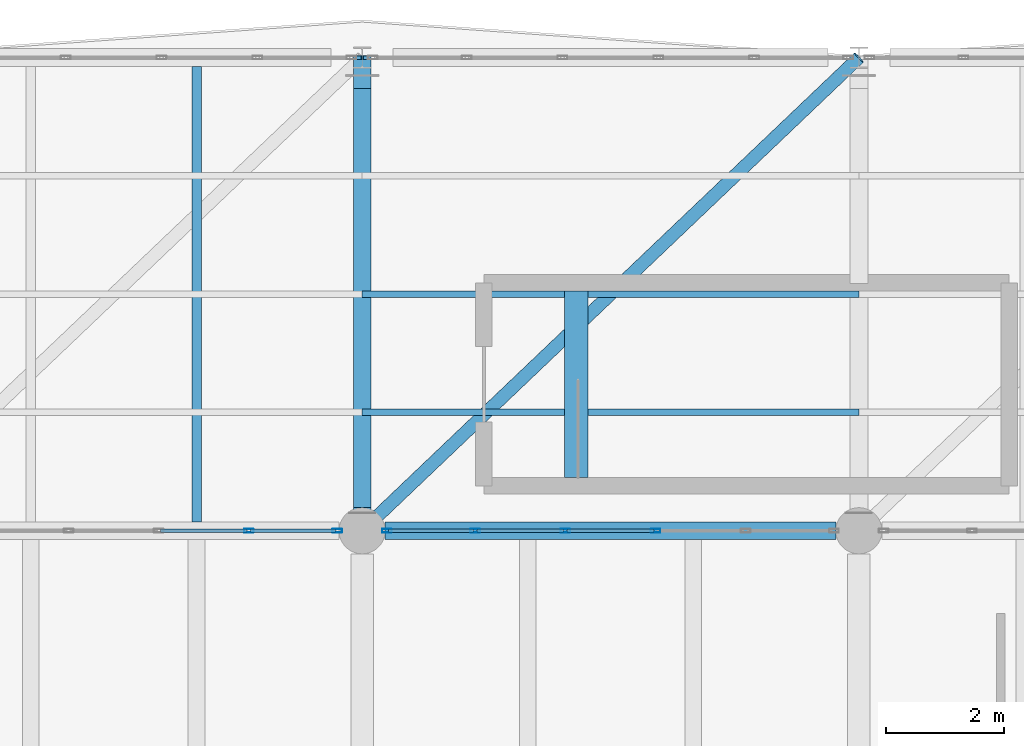
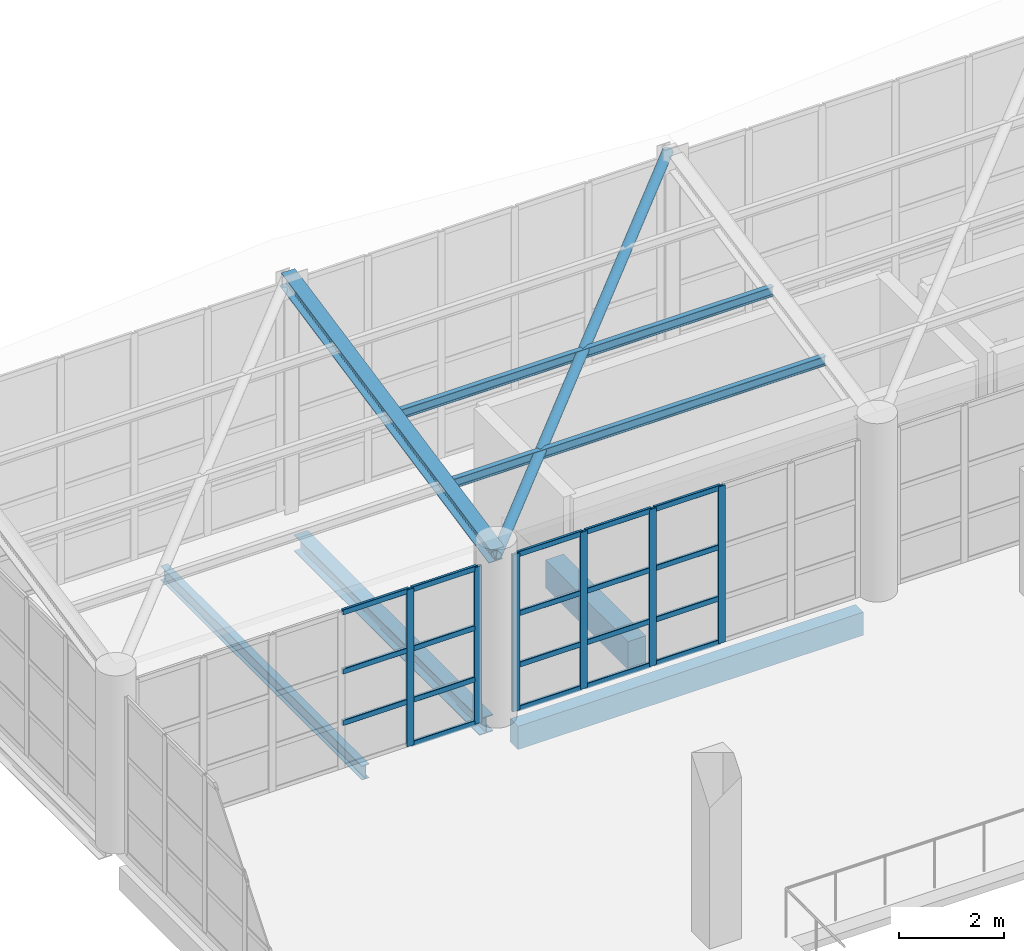
# One storey, part 82 of 177: 29 members, 4 beams, 2 elements without a shape of their own.
"""IFC4 building model written with IfcOpenShell, lengths in metres."""

from ifc_helpers import new_model, si_unit, direction, frame, origin, origin_2d, place, context, subcontext, project, spatial, rectangle, hollow_rectangle, hollow_circle, i_section, extrude, material, layer, layer_set, material_profile, profile_set, type_object, element, aggregate, save


model = new_model("IFC4")

# Units and contexts
model_context = context("Model", 3, precision=1e-05, world=origin(), true_north=direction((0.0, 1.0)))
body_context = subcontext(model_context, "Body", "Model", "MODEL_VIEW")
ifc_project = project(units=[si_unit("LENGTHUNIT", "METRE"), si_unit("AREAUNIT", "SQUARE_METRE"), si_unit("VOLUMEUNIT", "CUBIC_METRE"), si_unit("PLANEANGLEUNIT", "RADIAN"), si_unit("MASSUNIT", "GRAM", prefix="KILO"), si_unit("THERMODYNAMICTEMPERATUREUNIT", "KELVIN"), si_unit("POWERUNIT", "WATT")], contexts=[model_context])

# Site, building, storey
site_placement = place(None, origin())
site = spatial("IfcSite", under=ifc_project, at=site_placement, CompositionType="ELEMENT")
building_placement = place(site_placement, origin())
building = spatial("IfcBuilding", under=site, at=building_placement, Name="Mavoryth Pier Ferry Terminal", CompositionType="ELEMENT")
storey_placement = place(building_placement, frame((0.0, 0.0, 5.43994140625)))
storey = spatial("IfcBuildingStorey", under=building, at=storey_placement, Name="L01", CompositionType="ELEMENT", Elevation=5.43994140625)

# Beam
ifc_material_1 = material(Name="Steel S355J2", Category="steel")
ifc_material_profile_1 = material_profile(ifc_material_1, i_section(OverallWidth=0.300048828125, OverallDepth=0.389892578125, WebThickness=0.010986328125, FlangeThickness=0.01904296875, FilletRadius=0.027099609375, at=origin_2d()), Name="HEA 400", Category="steel")
ifc_profile_set_1 = profile_set([ifc_material_profile_1], Name="Steel S355J2 - HEA 400")
beam_type_1 = type_object("IfcBeamType", Name="Beam-Steel-HEA400", PredefinedType="BEAM", material=ifc_profile_set_1)
beam_1_placement = place(storey_placement, frame((58.800048828125, 106.389892578125, -0.43505859375), z_axis=(0.0, 1.0, 0.0), x_axis=(-1.0, 0.0, 0.0)))
element("IfcBeam", 1, at=beam_1_placement, inside=storey, type_object=beam_type_1, Name="Beam B01-SB04-0279", PredefinedType="BEAM", context=body_context, shape_type="SweptSolid", body=[
    extrude(i_section(OverallWidth=0.300048828125, OverallDepth=0.389892578125, WebThickness=0.010986328125, FlangeThickness=0.01904296875, FilletRadius=0.027099609375, at=origin_2d()), origin(), (0.0, 0.0, 1.0), 7.085205078125),
])

# Member
ifc_material_profile_2 = material_profile(ifc_material_1, hollow_circle(Radius=0.109619140625, WallThickness=0.010009765625, at=origin_2d()), Name="CHS 219.1x10.0", Category="steel")
ifc_profile_set_2 = profile_set([ifc_material_profile_2], Name="Steel S355J2 - CHS 219.1x10.0")
member_type_1 = type_object("IfcMemberType", Name="Brace-Diag-CHS219", PredefinedType="BRACE", material=ifc_profile_set_2)
member_1_placement = place(storey_placement, frame((58.800048828125, 106.0, 3.771240234375), z_axis=(0.717108654399, 0.682968563255, 0.138957257423), x_axis=(-0.689659376744, 0.724133926887, 0.0)))
element("IfcMember", 2, at=member_1_placement, inside=storey, type_object=member_type_1, Name="Steel Member MB-L01-0257", PredefinedType="BRACE", context=body_context, shape_type="SweptSolid", body=[
    extrude(hollow_circle(Radius=0.109619140625, WallThickness=0.010009765625, at=origin_2d()), origin(), (0.0, 0.0, 1.0), 11.713623046875),
])

# Beams
ifc_material_2 = material(Name="Concrete C35/45", Category="concrete")
ifc_material_profile_3 = material_profile(ifc_material_2, rectangle(XDim=0.39990234375, YDim=0.64990234375, at=origin_2d()), Name="RC 400x650", Category="concrete")
ifc_profile_set_3 = profile_set([ifc_material_profile_3], Name="Concrete C35/45 - RC 400x650")
beam_type_2 = type_object("IfcBeamType", Name="Girder-RC-400x650", PredefinedType="BEAM", material=ifc_profile_set_3)
beam_2_placement = place(storey_placement, frame((62.419921875, 106.89990234375, -0.324951171875), z_axis=(0.0, 1.0, 0.0), x_axis=(-1.0, 0.0, 0.0)))
element("IfcBeam", 3, at=beam_2_placement, inside=storey, type_object=beam_type_2, Name="Beam B01-BG05-1574", PredefinedType="BEAM", context=body_context, shape_type="SweptSolid", body=[
    extrude(rectangle(XDim=0.39990234375, YDim=0.64990234375, at=origin_2d()), origin(), (0.0, 0.0, 1.0), 3.150146484375),
])
ifc_material_profile_4 = material_profile(ifc_material_1, i_section(OverallWidth=0.159912109375, OverallDepth=0.330078125, WebThickness=0.007568359375, FlangeThickness=0.011474609375, FilletRadius=0.01806640625, at=origin_2d()), Name="IPE 330", Category="steel")
ifc_profile_set_4 = profile_set([ifc_material_profile_4], Name="Steel S355J2 - IPE 330")
beam_type_3 = type_object("IfcBeamType", Name="Joist-Steel-IPE330", PredefinedType="JOIST", material=ifc_profile_set_4)
beam_3_placement = place(storey_placement, frame((56.0, 106.14990234375, -0.405029296875), z_axis=(0.0, 1.0, 0.0), x_axis=(-1.0, 0.0, 0.0)))
element("IfcBeam", 4, at=beam_3_placement, inside=storey, type_object=beam_type_3, Name="Beam B01-SJ03-0292", PredefinedType="JOIST", context=body_context, shape_type="SweptSolid", body=[
    extrude(i_section(OverallWidth=0.159912109375, OverallDepth=0.330078125, WebThickness=0.007568359375, FlangeThickness=0.011474609375, FilletRadius=0.01806640625, at=origin_2d()), origin(), (0.0, 0.0, 1.0), 7.7001953125),
])

# Curtain wall, members
ifc_material_3 = material(Name="Anodised Aluminium and Solar-Control Low-E Glass", Category="aluminium")
ifc_layer = layer(ifc_material_3, 0.159912109375, Name="Anodised Aluminium and Solar-Control Low-E Glass", Category="aluminium")
ifc_layer_set = layer_set([ifc_layer], Name="Anodised Aluminium and Solar-Control Low-E Glass - CW-Arrivals-Mod1400")
curtain_wall_type = type_object("IfcCurtainWallType", Name="CW-Arrivals-Mod1400", PredefinedType="USERDEFINED", material=ifc_layer_set)
curtain_wall_1_placement = place(storey_placement, origin())
curtain_wall_1 = element("IfcCurtainWall", 5, at=curtain_wall_1_placement, inside=storey, type_object=curtain_wall_type, Name="Curtain Wall CW-0122-050", ObjectType="UNITISED CURTAIN WALL", PredefinedType="USERDEFINED")
ifc_material_4 = material(Name="Anodised Aluminium EN AW-6063", Category="aluminium")
ifc_material_profile_5 = material_profile(ifc_material_4, hollow_rectangle(XDim=0.06005859375, YDim=0.1650390625, WallThickness=0.00390625, InnerFilletRadius=0.00390625, OuterFilletRadius=0.008056640625, at=origin_2d()), Name="AL-MULL 165x60x4", Category="aluminium")
ifc_profile_set_5 = profile_set([ifc_material_profile_5], Name="Anodised Aluminium EN AW-6063 - AL-MULL 165x60x4")
member_type_2 = type_object("IfcMemberType", Name="Mullion-Alum-165x60", PredefinedType="MULLION", material=ifc_profile_set_5)
member_2_placement = place(storey_placement, frame((58.3798828125, 106.0, 0.0), z_axis=(0.0, 0.0, 1.0), x_axis=(0.0, -1.0, 0.0)))
member_2 = element("IfcMember", 6, at=member_2_placement, type_object=member_type_2, Name="CW04 mullion 1", PredefinedType="MULLION", context=body_context, shape_type="SweptSolid", body=[
    extrude(hollow_rectangle(XDim=0.06005859375, YDim=0.1650390625, WallThickness=0.00390625, InnerFilletRadius=0.00390625, OuterFilletRadius=0.008056640625, at=origin_2d()), origin(), (0.0, 0.0, 1.0), 3.66015625),
])
member_3_placement = place(storey_placement, frame((56.885986328125, 106.0, 0.0), z_axis=(0.0, 0.0, 1.0), x_axis=(0.0, -1.0, 0.0)))
member_3 = element("IfcMember", 7, at=member_3_placement, type_object=member_type_2, Name="CW04 mullion 2", PredefinedType="MULLION", context=body_context, shape_type="SweptSolid", body=[
    extrude(hollow_rectangle(XDim=0.06005859375, YDim=0.1650390625, WallThickness=0.00390625, InnerFilletRadius=0.00390625, OuterFilletRadius=0.008056640625, at=origin_2d()), origin(), (0.0, 0.0, 1.0), 3.66015625),
])

curtain_wall_2_placement = place(storey_placement, origin())
curtain_wall_2 = element("IfcCurtainWall", 8, at=curtain_wall_2_placement, inside=storey, type_object=curtain_wall_type, Name="Curtain Wall CW-0122-052", ObjectType="UNITISED CURTAIN WALL", PredefinedType="USERDEFINED")
member_4_placement = place(storey_placement, frame((63.761962890625, 106.0, 0.0), z_axis=(0.0, 0.0, 1.0), x_axis=(0.0, -1.0, 0.0)))
member_4 = element("IfcMember", 9, at=member_4_placement, type_object=member_type_2, Name="CW04 mullion 3", PredefinedType="MULLION", context=body_context, shape_type="SweptSolid", body=[
    extrude(hollow_rectangle(XDim=0.06005859375, YDim=0.1650390625, WallThickness=0.00390625, InnerFilletRadius=0.00390625, OuterFilletRadius=0.008056640625, at=origin_2d()), origin(), (0.0, 0.0, 1.0), 3.66015625),
])
member_5_placement = place(storey_placement, frame((62.238037109375, 106.0, 0.0), z_axis=(0.0, 0.0, 1.0), x_axis=(0.0, -1.0, 0.0)))
member_5 = element("IfcMember", 10, at=member_5_placement, type_object=member_type_2, Name="CW04 mullion 4", PredefinedType="MULLION", context=body_context, shape_type="SweptSolid", body=[
    extrude(hollow_rectangle(XDim=0.06005859375, YDim=0.1650390625, WallThickness=0.00390625, InnerFilletRadius=0.00390625, OuterFilletRadius=0.008056640625, at=origin_2d()), origin(), (0.0, 0.0, 1.0), 3.66015625),
])
member_6_placement = place(storey_placement, frame((60.714111328125, 106.0, 0.0), z_axis=(0.0, 0.0, 1.0), x_axis=(0.0, -1.0, 0.0)))
member_6 = element("IfcMember", 11, at=member_6_placement, type_object=member_type_2, Name="CW04 mullion 5", PredefinedType="MULLION", context=body_context, shape_type="SweptSolid", body=[
    extrude(hollow_rectangle(XDim=0.06005859375, YDim=0.1650390625, WallThickness=0.00390625, InnerFilletRadius=0.00390625, OuterFilletRadius=0.008056640625, at=origin_2d()), origin(), (0.0, 0.0, 1.0), 3.66015625),
])
member_7_placement = place(storey_placement, frame((59.219970703125, 106.0, 0.0), z_axis=(0.0, 0.0, 1.0), x_axis=(0.0, -1.0, 0.0)))
member_7 = element("IfcMember", 12, at=member_7_placement, type_object=member_type_2, Name="CW04 mullion 6", PredefinedType="MULLION", context=body_context, shape_type="SweptSolid", body=[
    extrude(hollow_rectangle(XDim=0.06005859375, YDim=0.1650390625, WallThickness=0.00390625, InnerFilletRadius=0.00390625, OuterFilletRadius=0.008056640625, at=origin_2d()), origin(), (0.0, 0.0, 1.0), 3.66015625),
])

# Members
ifc_material_profile_6 = material_profile(ifc_material_1, i_section(OverallWidth=0.110107421875, OverallDepth=0.219970703125, WebThickness=0.005859375, FlangeThickness=0.00927734375, FilletRadius=0.011962890625, at=origin_2d()), Name="IPE 220", Category="steel")
ifc_profile_set_6 = profile_set([ifc_material_profile_6], Name="Steel S355J2 - IPE 220")
member_type_3 = type_object("IfcMemberType", Name="Purlin-Roof-IPE220", PredefinedType="PURLIN", material=ifc_profile_set_6)
for number, where, z_axis, x_axis, name in (
    (13, (58.800048828125, 108.0, 4.17822265625), (1.0, 0.0, 0.0), (0.0, 1.0, 0.0), "Steel Member MB-L01-0254"),
    (14, (58.800048828125, 110.0, 4.5849609375), (1.0, 0.0, 0.0), (0.0, 1.0, 0.0), "Steel Member MB-L01-0255"),
):
    element("IfcMember", number, at=place(storey_placement, frame(where, z_axis=z_axis, x_axis=x_axis)), inside=storey, type_object=member_type_3, Name=name, PredefinedType="PURLIN", context=body_context, shape_type="SweptSolid", body=[
        extrude(i_section(OverallWidth=0.110107421875, OverallDepth=0.219970703125, WebThickness=0.005859375, FlangeThickness=0.00927734375, FilletRadius=0.011962890625, at=origin_2d()), origin(), (0.0, 0.0, 1.0), 8.39990234375),
    ])
ifc_material_profile_7 = material_profile(ifc_material_1, i_section(OverallWidth=0.300048828125, OverallDepth=0.35009765625, WebThickness=0.010009765625, FlangeThickness=0.017578125, FilletRadius=0.027099609375, at=origin_2d()), Name="HEA 360", Category="steel")
ifc_profile_set_7 = profile_set([ifc_material_profile_7], Name="Steel S355J2 - HEA 360")
member_type_4 = type_object("IfcMemberType", Name="Rafter-Gallery-HEA360", PredefinedType="RAFTER", material=ifc_profile_set_7)
member_8_placement = place(storey_placement, frame((58.800048828125, 106.0, 3.771240234375), z_axis=(0.0, 0.979923097627, 0.199375832882), x_axis=(-1.0, 0.0, 0.0)))
element("IfcMember", 15, at=member_8_placement, inside=storey, type_object=member_type_4, Name="Steel Member MB-L01-0238", PredefinedType="RAFTER", context=body_context, shape_type="SweptSolid", body=[
    extrude(i_section(OverallWidth=0.300048828125, OverallDepth=0.35009765625, WebThickness=0.010009765625, FlangeThickness=0.017578125, FilletRadius=0.027099609375, at=origin_2d()), origin(), (0.0, 0.0, 1.0), 8.163818359375),
])

# Beam
ifc_material_profile_8 = material_profile(ifc_material_2, rectangle(XDim=0.300048828125, YDim=0.5400390625, at=origin_2d()), Name="RC 300x540", Category="concrete")
ifc_profile_set_8 = profile_set([ifc_material_profile_8], Name="Concrete C35/45 - RC 300x540")
beam_type_4 = type_object("IfcBeamType", Name="Spandrel-RC-300x540", PredefinedType="SPANDREL", material=ifc_profile_set_8)
beam_4_placement = place(storey_placement, frame((59.18994140625, 106.0, -0.550048828125), z_axis=(1.0, 0.0, 0.0), x_axis=(0.0, 1.0, 0.0)))
element("IfcBeam", 16, at=beam_4_placement, inside=storey, type_object=beam_type_4, Name="Beam B01-SP02-0200", PredefinedType="SPANDREL", context=body_context, shape_type="SweptSolid", body=[
    extrude(rectangle(XDim=0.300048828125, YDim=0.5400390625, at=origin_2d()), origin(), (0.0, 0.0, 1.0), 7.6201171875),
])

# Member
ifc_material_profile_9 = material_profile(ifc_material_4, hollow_rectangle(XDim=0.06005859375, YDim=0.125, WallThickness=0.00390625, InnerFilletRadius=0.00390625, OuterFilletRadius=0.008056640625, at=origin_2d()), Name="AL-TRAN 125x60x4", Category="aluminium")
ifc_profile_set_9 = profile_set([ifc_material_profile_9], Name="Anodised Aluminium EN AW-6063 - AL-TRAN 125x60x4")
member_type_5 = type_object("IfcMemberType", Name="Transom-Alum-125x60", PredefinedType="USERDEFINED", material=ifc_profile_set_9)
member_9_placement = place(storey_placement, frame((58.35009765625, 106.0, 0.030029296875), z_axis=(-1.0, 0.0, 0.0), x_axis=(0.0, -1.0, 0.0)))
member_9 = element("IfcMember", 17, at=member_9_placement, type_object=member_type_5, Name="CW04 transom 1.1", ObjectType="TRANSOM", PredefinedType="USERDEFINED", context=body_context, shape_type="SweptSolid", body=[
    extrude(hollow_rectangle(XDim=0.06005859375, YDim=0.125, WallThickness=0.00390625, InnerFilletRadius=0.00390625, OuterFilletRadius=0.008056640625, at=origin_2d()), origin(), (0.0, 0.0, 1.0), 1.43408203125),
])

member_10_placement = place(storey_placement, frame((58.35009765625, 106.0, 1.050048828125), z_axis=(-1.0, 0.0, 0.0), x_axis=(0.0, -1.0, 0.0)))
member_10 = element("IfcMember", 18, at=member_10_placement, type_object=member_type_5, Name="CW04 transom 1.2", ObjectType="TRANSOM", PredefinedType="USERDEFINED", context=body_context, shape_type="SweptSolid", body=[
    extrude(hollow_rectangle(XDim=0.06005859375, YDim=0.125, WallThickness=0.00390625, InnerFilletRadius=0.00390625, OuterFilletRadius=0.008056640625, at=origin_2d()), origin(), (0.0, 0.0, 1.0), 1.43408203125),
])

member_11_placement = place(storey_placement, frame((58.35009765625, 106.0, 2.25), z_axis=(-1.0, 0.0, 0.0), x_axis=(0.0, -1.0, 0.0)))
member_11 = element("IfcMember", 19, at=member_11_placement, type_object=member_type_5, Name="CW04 transom 1.3", ObjectType="TRANSOM", PredefinedType="USERDEFINED", context=body_context, shape_type="SweptSolid", body=[
    extrude(hollow_rectangle(XDim=0.06005859375, YDim=0.125, WallThickness=0.00390625, InnerFilletRadius=0.00390625, OuterFilletRadius=0.008056640625, at=origin_2d()), origin(), (0.0, 0.0, 1.0), 1.43408203125),
])

member_12_placement = place(storey_placement, frame((58.35009765625, 106.0, 3.630126953125), z_axis=(-1.0, 0.0, 0.0), x_axis=(0.0, -1.0, 0.0)))
member_12 = element("IfcMember", 20, at=member_12_placement, type_object=member_type_5, Name="CW04 transom 1.4", ObjectType="TRANSOM", PredefinedType="USERDEFINED", context=body_context, shape_type="SweptSolid", body=[
    extrude(hollow_rectangle(XDim=0.06005859375, YDim=0.125, WallThickness=0.00390625, InnerFilletRadius=0.00390625, OuterFilletRadius=0.008056640625, at=origin_2d()), origin(), (0.0, 0.0, 1.0), 1.43408203125),
])

member_13_placement = place(storey_placement, frame((56.85595703125, 106.0, 1.050048828125), z_axis=(-1.0, 0.0, 0.0), x_axis=(0.0, -1.0, 0.0)))
member_13 = element("IfcMember", 21, at=member_13_placement, type_object=member_type_5, Name="CW04 transom 2.2", ObjectType="TRANSOM", PredefinedType="USERDEFINED", context=body_context, shape_type="SweptSolid", body=[
    extrude(hollow_rectangle(XDim=0.06005859375, YDim=0.125, WallThickness=0.00390625, InnerFilletRadius=0.00390625, OuterFilletRadius=0.008056640625, at=origin_2d()), origin(), (0.0, 0.0, 1.0), 1.4638671875),
])

member_14_placement = place(storey_placement, frame((56.85595703125, 106.0, 2.25), z_axis=(-1.0, 0.0, 0.0), x_axis=(0.0, -1.0, 0.0)))
member_14 = element("IfcMember", 22, at=member_14_placement, type_object=member_type_5, Name="CW04 transom 2.3", ObjectType="TRANSOM", PredefinedType="USERDEFINED", context=body_context, shape_type="SweptSolid", body=[
    extrude(hollow_rectangle(XDim=0.06005859375, YDim=0.125, WallThickness=0.00390625, InnerFilletRadius=0.00390625, OuterFilletRadius=0.008056640625, at=origin_2d()), origin(), (0.0, 0.0, 1.0), 1.4638671875),
])

member_15_placement = place(storey_placement, frame((56.85595703125, 106.0, 3.630126953125), z_axis=(-1.0, 0.0, 0.0), x_axis=(0.0, -1.0, 0.0)))
member_15 = element("IfcMember", 23, at=member_15_placement, type_object=member_type_5, Name="CW04 transom 2.4", ObjectType="TRANSOM", PredefinedType="USERDEFINED", context=body_context, shape_type="SweptSolid", body=[
    extrude(hollow_rectangle(XDim=0.06005859375, YDim=0.125, WallThickness=0.00390625, InnerFilletRadius=0.00390625, OuterFilletRadius=0.008056640625, at=origin_2d()), origin(), (0.0, 0.0, 1.0), 1.4638671875),
])

aggregate(curtain_wall_1, [member_2, member_3, member_9, member_10, member_11, member_12, member_13, member_14, member_15])

member_16_placement = place(storey_placement, frame((63.73193359375, 106.0, 0.030029296875), z_axis=(-1.0, 0.0, 0.0), x_axis=(0.0, -1.0, 0.0)))
member_16 = element("IfcMember", 24, at=member_16_placement, type_object=member_type_5, Name="CW04 transom 3.1", ObjectType="TRANSOM", PredefinedType="USERDEFINED", context=body_context, shape_type="SweptSolid", body=[
    extrude(hollow_rectangle(XDim=0.06005859375, YDim=0.125, WallThickness=0.00390625, InnerFilletRadius=0.00390625, OuterFilletRadius=0.008056640625, at=origin_2d()), origin(), (0.0, 0.0, 1.0), 1.4638671875),
])

member_17_placement = place(storey_placement, frame((63.73193359375, 106.0, 1.050048828125), z_axis=(-1.0, 0.0, 0.0), x_axis=(0.0, -1.0, 0.0)))
member_17 = element("IfcMember", 25, at=member_17_placement, type_object=member_type_5, Name="CW04 transom 3.2", ObjectType="TRANSOM", PredefinedType="USERDEFINED", context=body_context, shape_type="SweptSolid", body=[
    extrude(hollow_rectangle(XDim=0.06005859375, YDim=0.125, WallThickness=0.00390625, InnerFilletRadius=0.00390625, OuterFilletRadius=0.008056640625, at=origin_2d()), origin(), (0.0, 0.0, 1.0), 1.4638671875),
])

member_18_placement = place(storey_placement, frame((63.73193359375, 106.0, 2.25), z_axis=(-1.0, 0.0, 0.0), x_axis=(0.0, -1.0, 0.0)))
member_18 = element("IfcMember", 26, at=member_18_placement, type_object=member_type_5, Name="CW04 transom 3.3", ObjectType="TRANSOM", PredefinedType="USERDEFINED", context=body_context, shape_type="SweptSolid", body=[
    extrude(hollow_rectangle(XDim=0.06005859375, YDim=0.125, WallThickness=0.00390625, InnerFilletRadius=0.00390625, OuterFilletRadius=0.008056640625, at=origin_2d()), origin(), (0.0, 0.0, 1.0), 1.4638671875),
])

member_19_placement = place(storey_placement, frame((63.73193359375, 106.0, 3.630126953125), z_axis=(-1.0, 0.0, 0.0), x_axis=(0.0, -1.0, 0.0)))
member_19 = element("IfcMember", 27, at=member_19_placement, type_object=member_type_5, Name="CW04 transom 3.4", ObjectType="TRANSOM", PredefinedType="USERDEFINED", context=body_context, shape_type="SweptSolid", body=[
    extrude(hollow_rectangle(XDim=0.06005859375, YDim=0.125, WallThickness=0.00390625, InnerFilletRadius=0.00390625, OuterFilletRadius=0.008056640625, at=origin_2d()), origin(), (0.0, 0.0, 1.0), 1.4638671875),
])

member_20_placement = place(storey_placement, frame((62.2080078125, 106.0, 0.030029296875), z_axis=(-1.0, 0.0, 0.0), x_axis=(0.0, -1.0, 0.0)))
member_20 = element("IfcMember", 28, at=member_20_placement, type_object=member_type_5, Name="CW04 transom 4.1", ObjectType="TRANSOM", PredefinedType="USERDEFINED", context=body_context, shape_type="SweptSolid", body=[
    extrude(hollow_rectangle(XDim=0.06005859375, YDim=0.125, WallThickness=0.00390625, InnerFilletRadius=0.00390625, OuterFilletRadius=0.008056640625, at=origin_2d()), origin(), (0.0, 0.0, 1.0), 1.464111328125),
])

member_21_placement = place(storey_placement, frame((62.2080078125, 106.0, 1.050048828125), z_axis=(-1.0, 0.0, 0.0), x_axis=(0.0, -1.0, 0.0)))
member_21 = element("IfcMember", 29, at=member_21_placement, type_object=member_type_5, Name="CW04 transom 4.2", ObjectType="TRANSOM", PredefinedType="USERDEFINED", context=body_context, shape_type="SweptSolid", body=[
    extrude(hollow_rectangle(XDim=0.06005859375, YDim=0.125, WallThickness=0.00390625, InnerFilletRadius=0.00390625, OuterFilletRadius=0.008056640625, at=origin_2d()), origin(), (0.0, 0.0, 1.0), 1.464111328125),
])

member_22_placement = place(storey_placement, frame((62.2080078125, 106.0, 2.25), z_axis=(-1.0, 0.0, 0.0), x_axis=(0.0, -1.0, 0.0)))
member_22 = element("IfcMember", 30, at=member_22_placement, type_object=member_type_5, Name="CW04 transom 4.3", ObjectType="TRANSOM", PredefinedType="USERDEFINED", context=body_context, shape_type="SweptSolid", body=[
    extrude(hollow_rectangle(XDim=0.06005859375, YDim=0.125, WallThickness=0.00390625, InnerFilletRadius=0.00390625, OuterFilletRadius=0.008056640625, at=origin_2d()), origin(), (0.0, 0.0, 1.0), 1.464111328125),
])

member_23_placement = place(storey_placement, frame((62.2080078125, 106.0, 3.630126953125), z_axis=(-1.0, 0.0, 0.0), x_axis=(0.0, -1.0, 0.0)))
member_23 = element("IfcMember", 31, at=member_23_placement, type_object=member_type_5, Name="CW04 transom 4.4", ObjectType="TRANSOM", PredefinedType="USERDEFINED", context=body_context, shape_type="SweptSolid", body=[
    extrude(hollow_rectangle(XDim=0.06005859375, YDim=0.125, WallThickness=0.00390625, InnerFilletRadius=0.00390625, OuterFilletRadius=0.008056640625, at=origin_2d()), origin(), (0.0, 0.0, 1.0), 1.464111328125),
])

member_24_placement = place(storey_placement, frame((60.68408203125, 106.0, 0.030029296875), z_axis=(-1.0, 0.0, 0.0), x_axis=(0.0, -1.0, 0.0)))
member_24 = element("IfcMember", 32, at=member_24_placement, type_object=member_type_5, Name="CW04 transom 5.1", ObjectType="TRANSOM", PredefinedType="USERDEFINED", context=body_context, shape_type="SweptSolid", body=[
    extrude(hollow_rectangle(XDim=0.06005859375, YDim=0.125, WallThickness=0.00390625, InnerFilletRadius=0.00390625, OuterFilletRadius=0.008056640625, at=origin_2d()), origin(), (0.0, 0.0, 1.0), 1.43408203125),
])

member_25_placement = place(storey_placement, frame((60.68408203125, 106.0, 1.050048828125), z_axis=(-1.0, 0.0, 0.0), x_axis=(0.0, -1.0, 0.0)))
member_25 = element("IfcMember", 33, at=member_25_placement, type_object=member_type_5, Name="CW04 transom 5.2", ObjectType="TRANSOM", PredefinedType="USERDEFINED", context=body_context, shape_type="SweptSolid", body=[
    extrude(hollow_rectangle(XDim=0.06005859375, YDim=0.125, WallThickness=0.00390625, InnerFilletRadius=0.00390625, OuterFilletRadius=0.008056640625, at=origin_2d()), origin(), (0.0, 0.0, 1.0), 1.43408203125),
])

member_26_placement = place(storey_placement, frame((60.68408203125, 106.0, 2.25), z_axis=(-1.0, 0.0, 0.0), x_axis=(0.0, -1.0, 0.0)))
member_26 = element("IfcMember", 34, at=member_26_placement, type_object=member_type_5, Name="CW04 transom 5.3", ObjectType="TRANSOM", PredefinedType="USERDEFINED", context=body_context, shape_type="SweptSolid", body=[
    extrude(hollow_rectangle(XDim=0.06005859375, YDim=0.125, WallThickness=0.00390625, InnerFilletRadius=0.00390625, OuterFilletRadius=0.008056640625, at=origin_2d()), origin(), (0.0, 0.0, 1.0), 1.43408203125),
])

member_27_placement = place(storey_placement, frame((60.68408203125, 106.0, 3.630126953125), z_axis=(-1.0, 0.0, 0.0), x_axis=(0.0, -1.0, 0.0)))
member_27 = element("IfcMember", 35, at=member_27_placement, type_object=member_type_5, Name="CW04 transom 5.4", ObjectType="TRANSOM", PredefinedType="USERDEFINED", context=body_context, shape_type="SweptSolid", body=[
    extrude(hollow_rectangle(XDim=0.06005859375, YDim=0.125, WallThickness=0.00390625, InnerFilletRadius=0.00390625, OuterFilletRadius=0.008056640625, at=origin_2d()), origin(), (0.0, 0.0, 1.0), 1.43408203125),
])

aggregate(curtain_wall_2, [member_4, member_5, member_6, member_7, member_16, member_17, member_18, member_19, member_20, member_21, member_22, member_23, member_24, member_25, member_26, member_27])

save(model, "model.ifc")
